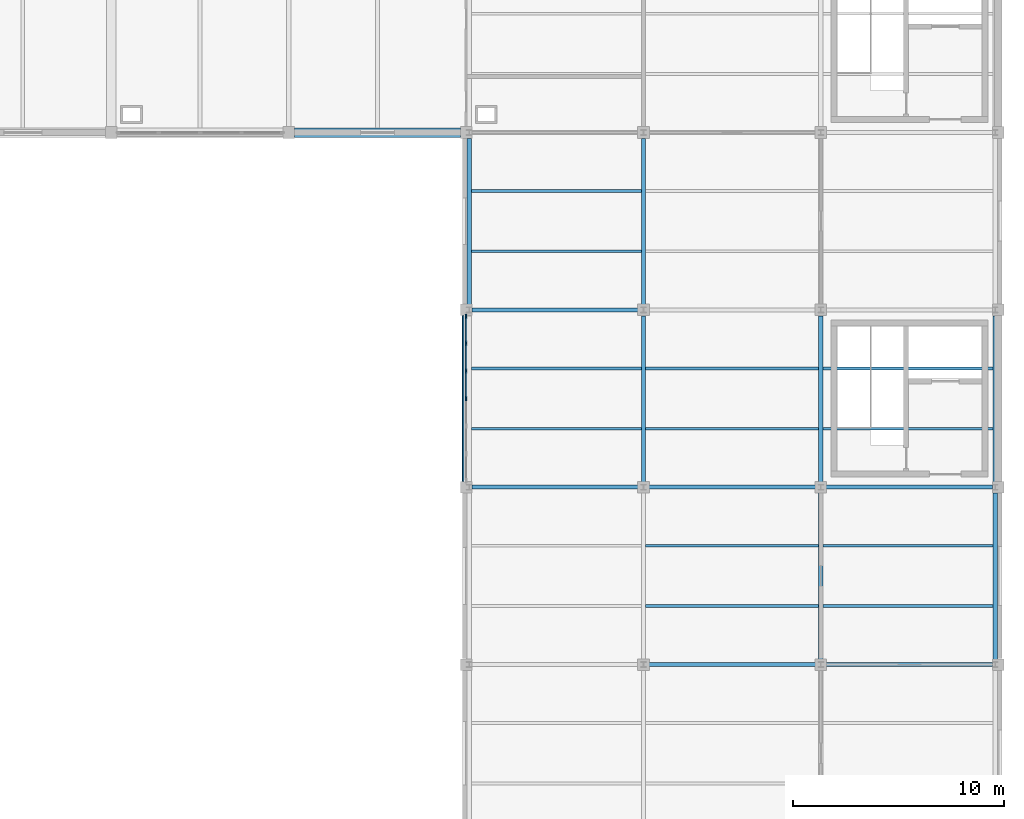
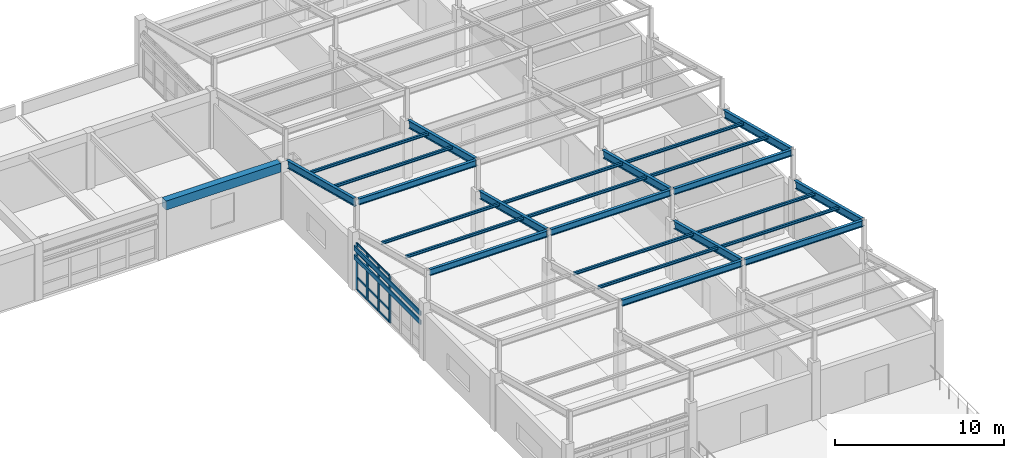
# One storey, part 41 of 74: 30 members, 14 beams, 1 element without a shape of its own.
"""IFC4 building model written with IfcOpenShell, lengths in metres."""

from ifc_helpers import new_model, si_unit, direction, frame, origin, origin_2d, place, context, subcontext, project, spatial, rectangle, i_section, extrude, material, layer, layer_set, material_profile, profile_set, type_object, element, aggregate, save


model = new_model("IFC4")

# Units and contexts
model_context = context("Model", 3, precision=1e-05, world=origin(), true_north=direction((0.0, 1.0)))
body_context = subcontext(model_context, "Body", "Model", "MODEL_VIEW")
ifc_project = project(units=[si_unit("LENGTHUNIT", "METRE"), si_unit("AREAUNIT", "SQUARE_METRE"), si_unit("VOLUMEUNIT", "CUBIC_METRE"), si_unit("PLANEANGLEUNIT", "RADIAN"), si_unit("MASSUNIT", "GRAM", prefix="KILO")], contexts=[model_context])

# Site, building, storey
site_placement = place(None, origin())
site = spatial("IfcSite", under=ifc_project, at=site_placement, CompositionType="ELEMENT")
building_placement = place(site_placement, origin())
building = spatial("IfcBuilding", under=site, at=building_placement, Name="Porcellanite Civic Hall", CompositionType="ELEMENT")
storey_placement = place(building_placement, frame((0.0, 0.0, 14.760009765625)))
storey = spatial("IfcBuildingStorey", under=building, at=storey_placement, Name="L03", CompositionType="ELEMENT", Elevation=14.760009765625)

# Beam
ifc_material_1 = material(Name="Concrete N50 (50 MPa)", Category="concrete")
ifc_material_profile_1 = material_profile(ifc_material_1, rectangle(XDim=0.449951171875, YDim=0.64990234375, at=origin_2d()), Name="RC-450x650")
ifc_profile_set_1 = profile_set([ifc_material_profile_1], Name="Concrete N50 (50 MPa)")
beam_type_1 = type_object("IfcBeamType", Name="BM-RC650", PredefinedType="SPANDREL", material=ifc_profile_set_1)
beam_1_placement = place(storey_placement, frame((134.674560546875, 50.39990234375, 3.744873046875), z_axis=(1.0, 0.0, 0.0), x_axis=(0.0, 1.0, 0.0)))
element("IfcBeam", 1, at=beam_1_placement, inside=storey, type_object=beam_type_1, Name="Beam X L03 17-7", PredefinedType="SPANDREL", context=body_context, shape_type="SweptSolid", body=[
    extrude(rectangle(XDim=0.449951171875, YDim=0.64990234375, at=origin_2d()), origin(), (0.0, 0.0, 1.0), 7.850830078125),
])

# Curtain wall, members
ifc_material_2 = material(Name="Anodised aluminium and solar laminated glass", Category="aluminium")
ifc_layer = layer(ifc_material_2, 0.179931640625)
ifc_layer_set = layer_set([ifc_layer], Name="Anodised aluminium and solar laminated glass")
curtain_wall_type = type_object("IfcCurtainWallType", Name="CW-SYS02", PredefinedType="NOTDEFINED", material=ifc_layer_set)
curtain_wall_placement = place(storey_placement, origin())
curtain_wall = element("IfcCurtainWall", 2, at=curtain_wall_placement, inside=storey, type_object=curtain_wall_type, Name="Curtain wall CW-222", PredefinedType="NOTDEFINED")
ifc_material_3 = material(Name="Anodised aluminium 6063-T6", Category="aluminium")
ifc_material_profile_2 = material_profile(ifc_material_3, rectangle(XDim=0.074951171875, YDim=0.219970703125, at=origin_2d()), Name="AL-75x220")
ifc_profile_set_2 = profile_set([ifc_material_profile_2], Name="Anodised aluminium 6063-T6")
member_type_1 = type_object("IfcMemberType", Name="CWM-03", PredefinedType="MULLION", material=ifc_profile_set_2)
member_1_placement = place(storey_placement, frame((142.800048828125, 37.800048828125, 0.0), z_axis=(0.0, 0.0, 1.0), x_axis=(-1.0, 0.0, 0.0)))
member_1 = element("IfcMember", 3, at=member_1_placement, type_object=member_type_1, Name="CW-222 mullion 4", PredefinedType="MULLION", context=body_context, shape_type="SweptSolid", body=[
    extrude(rectangle(XDim=0.074951171875, YDim=0.219970703125, at=origin_2d()), origin(), (0.0, 0.0, 1.0), 3.369873046875),
])
member_2_placement = place(storey_placement, frame((142.800048828125, 39.10791015625, 0.0), z_axis=(0.0, 0.0, 1.0), x_axis=(-1.0, 0.0, 0.0)))
member_2 = element("IfcMember", 4, at=member_2_placement, type_object=member_type_1, Name="CW-222 mullion 5", PredefinedType="MULLION", context=body_context, shape_type="SweptSolid", body=[
    extrude(rectangle(XDim=0.074951171875, YDim=0.219970703125, at=origin_2d()), origin(), (0.0, 0.0, 1.0), 3.369873046875),
])
member_3_placement = place(storey_placement, frame((142.800048828125, 40.416015625, 0.0), z_axis=(0.0, 0.0, 1.0), x_axis=(-1.0, 0.0, 0.0)))
member_3 = element("IfcMember", 5, at=member_3_placement, type_object=member_type_1, Name="CW-222 mullion 6", PredefinedType="MULLION", context=body_context, shape_type="SweptSolid", body=[
    extrude(rectangle(XDim=0.074951171875, YDim=0.219970703125, at=origin_2d()), origin(), (0.0, 0.0, 1.0), 3.369873046875),
])
member_4_placement = place(storey_placement, frame((142.800048828125, 41.6865234375, 0.0), z_axis=(0.0, 0.0, 1.0), x_axis=(-1.0, 0.0, 0.0)))
member_4 = element("IfcMember", 6, at=member_4_placement, type_object=member_type_1, Name="CW-222 mullion 7", PredefinedType="MULLION", context=body_context, shape_type="SweptSolid", body=[
    extrude(rectangle(XDim=0.074951171875, YDim=0.219970703125, at=origin_2d()), origin(), (0.0, 0.0, 1.0), 3.369873046875),
])
ifc_material_4 = material(Name="Anodised aluminium 6063-T6", Category="aluminium")
ifc_material_profile_3 = material_profile(ifc_material_4, rectangle(XDim=0.06494140625, YDim=0.14990234375, at=origin_2d()), Name="AL-65x150")
ifc_profile_set_3 = profile_set([ifc_material_profile_3], Name="Anodised aluminium 6063-T6")
member_type_2 = type_object("IfcMemberType", Name="CWT-02", PredefinedType="USERDEFINED", material=ifc_profile_set_3)
member_5_placement = place(storey_placement, frame((142.800048828125, 37.83740234375, 0.032470703125), z_axis=(0.0, 1.0, 0.0), x_axis=(-1.0, 0.0, 0.0)))
member_5 = element("IfcMember", 7, at=member_5_placement, type_object=member_type_2, Name="CW-222 transom 4.1", ObjectType="TRANSOM", PredefinedType="USERDEFINED", context=body_context, shape_type="SweptSolid", body=[
    extrude(rectangle(XDim=0.06494140625, YDim=0.14990234375, at=origin_2d()), origin(), (0.0, 0.0, 1.0), 1.233154296875),
])
member_6_placement = place(storey_placement, frame((142.800048828125, 37.83740234375, 0.89990234375), z_axis=(0.0, 1.0, 0.0), x_axis=(-1.0, 0.0, 0.0)))
member_6 = element("IfcMember", 8, at=member_6_placement, type_object=member_type_2, Name="CW-222 transom 4.2", ObjectType="TRANSOM", PredefinedType="USERDEFINED", context=body_context, shape_type="SweptSolid", body=[
    extrude(rectangle(XDim=0.06494140625, YDim=0.14990234375, at=origin_2d()), origin(), (0.0, 0.0, 1.0), 1.233154296875),
])
member_7_placement = place(storey_placement, frame((142.800048828125, 37.83740234375, 2.719970703125), z_axis=(0.0, 1.0, 0.0), x_axis=(-1.0, 0.0, 0.0)))
member_7 = element("IfcMember", 9, at=member_7_placement, type_object=member_type_2, Name="CW-222 transom 4.3", ObjectType="TRANSOM", PredefinedType="USERDEFINED", context=body_context, shape_type="SweptSolid", body=[
    extrude(rectangle(XDim=0.06494140625, YDim=0.14990234375, at=origin_2d()), origin(), (0.0, 0.0, 1.0), 1.233154296875),
])
member_8_placement = place(storey_placement, frame((142.800048828125, 37.83740234375, 3.33740234375), z_axis=(0.0, 1.0, 0.0), x_axis=(-1.0, 0.0, 0.0)))
member_8 = element("IfcMember", 10, at=member_8_placement, type_object=member_type_2, Name="CW-222 transom 4.4", ObjectType="TRANSOM", PredefinedType="USERDEFINED", context=body_context, shape_type="SweptSolid", body=[
    extrude(rectangle(XDim=0.06494140625, YDim=0.14990234375, at=origin_2d()), origin(), (0.0, 0.0, 1.0), 1.233154296875),
])
member_9_placement = place(storey_placement, frame((142.800048828125, 39.1455078125, 0.032470703125), z_axis=(0.0, 1.0, 0.0), x_axis=(-1.0, 0.0, 0.0)))
member_9 = element("IfcMember", 11, at=member_9_placement, type_object=member_type_2, Name="CW-222 transom 5.1", ObjectType="TRANSOM", PredefinedType="USERDEFINED", context=body_context, shape_type="SweptSolid", body=[
    extrude(rectangle(XDim=0.06494140625, YDim=0.14990234375, at=origin_2d()), origin(), (0.0, 0.0, 1.0), 1.23291015625),
])
member_10_placement = place(storey_placement, frame((142.800048828125, 39.1455078125, 0.89990234375), z_axis=(0.0, 1.0, 0.0), x_axis=(-1.0, 0.0, 0.0)))
member_10 = element("IfcMember", 12, at=member_10_placement, type_object=member_type_2, Name="CW-222 transom 5.2", ObjectType="TRANSOM", PredefinedType="USERDEFINED", context=body_context, shape_type="SweptSolid", body=[
    extrude(rectangle(XDim=0.06494140625, YDim=0.14990234375, at=origin_2d()), origin(), (0.0, 0.0, 1.0), 1.23291015625),
])
member_11_placement = place(storey_placement, frame((142.800048828125, 39.1455078125, 2.719970703125), z_axis=(0.0, 1.0, 0.0), x_axis=(-1.0, 0.0, 0.0)))
member_11 = element("IfcMember", 13, at=member_11_placement, type_object=member_type_2, Name="CW-222 transom 5.3", ObjectType="TRANSOM", PredefinedType="USERDEFINED", context=body_context, shape_type="SweptSolid", body=[
    extrude(rectangle(XDim=0.06494140625, YDim=0.14990234375, at=origin_2d()), origin(), (0.0, 0.0, 1.0), 1.23291015625),
])
member_12_placement = place(storey_placement, frame((142.800048828125, 39.1455078125, 3.33740234375), z_axis=(0.0, 1.0, 0.0), x_axis=(-1.0, 0.0, 0.0)))
member_12 = element("IfcMember", 14, at=member_12_placement, type_object=member_type_2, Name="CW-222 transom 5.4", ObjectType="TRANSOM", PredefinedType="USERDEFINED", context=body_context, shape_type="SweptSolid", body=[
    extrude(rectangle(XDim=0.06494140625, YDim=0.14990234375, at=origin_2d()), origin(), (0.0, 0.0, 1.0), 1.23291015625),
])
member_13_placement = place(storey_placement, frame((142.800048828125, 40.45361328125, 0.032470703125), z_axis=(0.0, 1.0, 0.0), x_axis=(-1.0, 0.0, 0.0)))
member_13 = element("IfcMember", 15, at=member_13_placement, type_object=member_type_2, Name="CW-222 transom 6.1", ObjectType="TRANSOM", PredefinedType="USERDEFINED", context=body_context, shape_type="SweptSolid", body=[
    extrude(rectangle(XDim=0.06494140625, YDim=0.14990234375, at=origin_2d()), origin(), (0.0, 0.0, 1.0), 1.1953125),
])
member_14_placement = place(storey_placement, frame((142.800048828125, 40.45361328125, 0.89990234375), z_axis=(0.0, 1.0, 0.0), x_axis=(-1.0, 0.0, 0.0)))
member_14 = element("IfcMember", 16, at=member_14_placement, type_object=member_type_2, Name="CW-222 transom 6.2", ObjectType="TRANSOM", PredefinedType="USERDEFINED", context=body_context, shape_type="SweptSolid", body=[
    extrude(rectangle(XDim=0.06494140625, YDim=0.14990234375, at=origin_2d()), origin(), (0.0, 0.0, 1.0), 1.1953125),
])
member_15_placement = place(storey_placement, frame((142.800048828125, 40.45361328125, 2.719970703125), z_axis=(0.0, 1.0, 0.0), x_axis=(-1.0, 0.0, 0.0)))
member_15 = element("IfcMember", 17, at=member_15_placement, type_object=member_type_2, Name="CW-222 transom 6.3", ObjectType="TRANSOM", PredefinedType="USERDEFINED", context=body_context, shape_type="SweptSolid", body=[
    extrude(rectangle(XDim=0.06494140625, YDim=0.14990234375, at=origin_2d()), origin(), (0.0, 0.0, 1.0), 1.1953125),
])
member_16_placement = place(storey_placement, frame((142.800048828125, 40.45361328125, 3.33740234375), z_axis=(0.0, 1.0, 0.0), x_axis=(-1.0, 0.0, 0.0)))
member_16 = element("IfcMember", 18, at=member_16_placement, type_object=member_type_2, Name="CW-222 transom 6.4", ObjectType="TRANSOM", PredefinedType="USERDEFINED", context=body_context, shape_type="SweptSolid", body=[
    extrude(rectangle(XDim=0.06494140625, YDim=0.14990234375, at=origin_2d()), origin(), (0.0, 0.0, 1.0), 1.1953125),
])
aggregate(curtain_wall, [member_1, member_2, member_3, member_4, member_5, member_6, member_7, member_8, member_9, member_10, member_11, member_12, member_13, member_14, member_15, member_16])

# Members
ifc_material_5 = material(Name="Fluoropolymer bauxite-red aluminium 6063-T6", Category="aluminium")
ifc_material_profile_4 = material_profile(ifc_material_5, rectangle(XDim=0.080078125, YDim=0.320068359375, at=origin_2d()), Name="AL-80x320")
ifc_profile_set_4 = profile_set([ifc_material_profile_4], Name="Fluoropolymer bauxite-red aluminium 6063-T6")
member_type_3 = type_object("IfcMemberType", Name="LV-BLD03", PredefinedType="USERDEFINED", material=ifc_profile_set_4)
for number, where, z_axis, x_axis, name in (
    (19, (142.64794921875, 33.87451171875, 3.070068359375), (0.0, 1.0, 0.0), (-1.0, 0.0, 0.0), "Cyclone sunshade louvre L03 W 17-4 1"),
    (20, (142.64794921875, 33.87451171875, 2.419921875), (0.0, 1.0, 0.0), (-1.0, 0.0, 0.0), "Cyclone sunshade louvre L03 W 17-4 2"),
):
    element("IfcMember", number, at=place(storey_placement, frame(where, z_axis=z_axis, x_axis=x_axis)), inside=storey, type_object=member_type_3, Name=name, ObjectType="LOUVRE BLADE", PredefinedType="USERDEFINED", context=body_context, shape_type="SweptSolid", body=[
        extrude(rectangle(XDim=0.080078125, YDim=0.320068359375, at=origin_2d()), origin(), (0.0, 0.0, 1.0), 7.85107421875),
    ])
ifc_material_6 = material(Name="Steel Grade 350", Category="steel")
ifc_material_profile_5 = material_profile(ifc_material_6, i_section(OverallWidth=0.133056640625, OverallDepth=0.202880859375, WebThickness=0.005859375, FlangeThickness=0.0078125, FilletRadius=0.0087890625, at=origin_2d()), Name="200UB25.4")
ifc_profile_set_5 = profile_set([ifc_material_profile_5], Name="Steel Grade 350")
member_type_4 = type_object("IfcMemberType", Name="PUR-200UB25", PredefinedType="PURLIN", material=ifc_profile_set_5)
for number, where, z_axis, x_axis, name in (
    (21, (151.304931640625, 27.971923828125, 5.492919921875), (1.0, 0.0, 0.0), (0.0, 1.0, 0.0), "Library sawtooth purlin 18-3"),
    (22, (151.304931640625, 30.827880859375, 4.75439453125), (1.0, 0.0, 0.0), (0.0, 1.0, 0.0), "Library sawtooth purlin 18-3"),
):
    element("IfcMember", number, at=place(storey_placement, frame(where, z_axis=z_axis, x_axis=x_axis)), inside=storey, type_object=member_type_4, Name=name, PredefinedType="PURLIN", context=body_context, shape_type="SweptSolid", body=[
        extrude(i_section(OverallWidth=0.133056640625, OverallDepth=0.202880859375, WebThickness=0.005859375, FlangeThickness=0.0078125, FilletRadius=0.0087890625, at=origin_2d()), origin(), (0.0, 0.0, 1.0), 8.190185546875),
    ])
for number, where, z_axis, x_axis, name in (
    (23, (159.705078125, 27.971923828125, 5.492919921875), (1.0, 0.0, 0.0), (0.0, 1.0, 0.0), "Library sawtooth purlin 19-3"),
    (24, (159.705078125, 30.827880859375, 4.75439453125), (1.0, 0.0, 0.0), (0.0, 1.0, 0.0), "Library sawtooth purlin 19-3"),
):
    element("IfcMember", number, at=place(storey_placement, frame(where, z_axis=z_axis, x_axis=x_axis)), inside=storey, type_object=member_type_4, Name=name, PredefinedType="PURLIN", context=body_context, shape_type="SweptSolid", body=[
        extrude(i_section(OverallWidth=0.133056640625, OverallDepth=0.202880859375, WebThickness=0.005859375, FlangeThickness=0.0078125, FilletRadius=0.0087890625, at=origin_2d()), origin(), (0.0, 0.0, 1.0), 8.0498046875),
    ])
for number, where, z_axis, x_axis, name in (
    (25, (143.044921875, 36.3720703125, 5.492919921875), (1.0, 0.0, 0.0), (0.0, 1.0, 0.0), "Library sawtooth purlin 17-4"),
    (26, (143.044921875, 39.22802734375, 4.75439453125), (1.0, 0.0, 0.0), (0.0, 1.0, 0.0), "Library sawtooth purlin 17-4"),
):
    element("IfcMember", number, at=place(storey_placement, frame(where, z_axis=z_axis, x_axis=x_axis)), inside=storey, type_object=member_type_4, Name=name, PredefinedType="PURLIN", context=body_context, shape_type="SweptSolid", body=[
        extrude(i_section(OverallWidth=0.133056640625, OverallDepth=0.202880859375, WebThickness=0.005859375, FlangeThickness=0.0078125, FilletRadius=0.0087890625, at=origin_2d()), origin(), (0.0, 0.0, 1.0), 8.050048828125),
    ])
for number, where, z_axis, x_axis, name in (
    (27, (151.304931640625, 36.3720703125, 5.492919921875), (1.0, 0.0, 0.0), (0.0, 1.0, 0.0), "Library sawtooth purlin 18-4"),
    (28, (151.304931640625, 39.22802734375, 4.75439453125), (1.0, 0.0, 0.0), (0.0, 1.0, 0.0), "Library sawtooth purlin 18-4"),
):
    element("IfcMember", number, at=place(storey_placement, frame(where, z_axis=z_axis, x_axis=x_axis)), inside=storey, type_object=member_type_4, Name=name, PredefinedType="PURLIN", context=body_context, shape_type="SweptSolid", body=[
        extrude(i_section(OverallWidth=0.133056640625, OverallDepth=0.202880859375, WebThickness=0.005859375, FlangeThickness=0.0078125, FilletRadius=0.0087890625, at=origin_2d()), origin(), (0.0, 0.0, 1.0), 8.190185546875),
    ])
for number, where, z_axis, x_axis, name in (
    (29, (159.705078125, 36.3720703125, 5.492919921875), (1.0, 0.0, 0.0), (0.0, 1.0, 0.0), "Library sawtooth purlin 19-4"),
    (30, (159.705078125, 39.22802734375, 4.75439453125), (1.0, 0.0, 0.0), (0.0, 1.0, 0.0), "Library sawtooth purlin 19-4"),
):
    element("IfcMember", number, at=place(storey_placement, frame(where, z_axis=z_axis, x_axis=x_axis)), inside=storey, type_object=member_type_4, Name=name, PredefinedType="PURLIN", context=body_context, shape_type="SweptSolid", body=[
        extrude(i_section(OverallWidth=0.133056640625, OverallDepth=0.202880859375, WebThickness=0.005859375, FlangeThickness=0.0078125, FilletRadius=0.0087890625, at=origin_2d()), origin(), (0.0, 0.0, 1.0), 8.0498046875),
    ])
for number, where, z_axis, x_axis, name in (
    (31, (143.044921875, 44.77197265625, 5.492919921875), (1.0, 0.0, 0.0), (0.0, 1.0, 0.0), "Library sawtooth purlin 17-5"),
    (32, (143.044921875, 47.6279296875, 4.75439453125), (1.0, 0.0, 0.0), (0.0, 1.0, 0.0), "Library sawtooth purlin 17-5"),
):
    element("IfcMember", number, at=place(storey_placement, frame(where, z_axis=z_axis, x_axis=x_axis)), inside=storey, type_object=member_type_4, Name=name, PredefinedType="PURLIN", context=body_context, shape_type="SweptSolid", body=[
        extrude(i_section(OverallWidth=0.133056640625, OverallDepth=0.202880859375, WebThickness=0.005859375, FlangeThickness=0.0078125, FilletRadius=0.0087890625, at=origin_2d()), origin(), (0.0, 0.0, 1.0), 8.050048828125),
    ])

# Beams
ifc_material_7 = material(Name="Steel Grade 350", Category="steel")
ifc_material_profile_6 = material_profile(ifc_material_7, i_section(OverallWidth=0.18994140625, OverallDepth=0.4541015625, WebThickness=0.008544921875, FlangeThickness=0.0126953125, FilletRadius=0.011474609375, at=origin_2d()), Name="460UB67.1")
ifc_profile_set_6 = profile_set([ifc_material_profile_6], Name="Steel Grade 350")
beam_type_2 = type_object("IfcBeamType", Name="RAF-460UB67", PredefinedType="BEAM", material=ifc_profile_set_6)
beam_2_placement = place(storey_placement, frame((151.326416015625, 25.199951171875, 6.069580078125), z_axis=(1.0, 0.0, 0.0), x_axis=(0.0, 1.0, 0.0)))
element("IfcBeam", 33, at=beam_2_placement, inside=storey, type_object=beam_type_2, Name="Library sawtooth ridge beam 18-3", PredefinedType="BEAM", context=body_context, shape_type="SweptSolid", body=[
    extrude(i_section(OverallWidth=0.18994140625, OverallDepth=0.4541015625, WebThickness=0.008544921875, FlangeThickness=0.0126953125, FilletRadius=0.011474609375, at=origin_2d()), origin(), (0.0, 0.0, 1.0), 8.14697265625),
])
beam_3_placement = place(storey_placement, frame((159.7265625, 25.199951171875, 6.069580078125), z_axis=(1.0, 0.0, 0.0), x_axis=(0.0, 1.0, 0.0)))
element("IfcBeam", 34, at=beam_3_placement, inside=storey, type_object=beam_type_2, Name="Library sawtooth ridge beam 19-3", PredefinedType="BEAM", context=body_context, shape_type="SweptSolid", body=[
    extrude(i_section(OverallWidth=0.18994140625, OverallDepth=0.4541015625, WebThickness=0.008544921875, FlangeThickness=0.0126953125, FilletRadius=0.011474609375, at=origin_2d()), origin(), (0.0, 0.0, 1.0), 8.0068359375),
])
beam_4_placement = place(storey_placement, frame((143.06640625, 33.60009765625, 6.069580078125), z_axis=(1.0, 0.0, 0.0), x_axis=(0.0, 1.0, 0.0)))
element("IfcBeam", 35, at=beam_4_placement, inside=storey, type_object=beam_type_2, Name="Library sawtooth ridge beam 17-4", PredefinedType="BEAM", context=body_context, shape_type="SweptSolid", body=[
    extrude(i_section(OverallWidth=0.18994140625, OverallDepth=0.4541015625, WebThickness=0.008544921875, FlangeThickness=0.0126953125, FilletRadius=0.011474609375, at=origin_2d()), origin(), (0.0, 0.0, 1.0), 8.007080078125),
])
beam_5_placement = place(storey_placement, frame((151.326416015625, 33.60009765625, 6.069580078125), z_axis=(1.0, 0.0, 0.0), x_axis=(0.0, 1.0, 0.0)))
element("IfcBeam", 36, at=beam_5_placement, inside=storey, type_object=beam_type_2, Name="Library sawtooth ridge beam 18-4", PredefinedType="BEAM", context=body_context, shape_type="SweptSolid", body=[
    extrude(i_section(OverallWidth=0.18994140625, OverallDepth=0.4541015625, WebThickness=0.008544921875, FlangeThickness=0.0126953125, FilletRadius=0.011474609375, at=origin_2d()), origin(), (0.0, 0.0, 1.0), 8.14697265625),
])
beam_6_placement = place(storey_placement, frame((159.7265625, 33.60009765625, 6.069580078125), z_axis=(1.0, 0.0, 0.0), x_axis=(0.0, 1.0, 0.0)))
element("IfcBeam", 37, at=beam_6_placement, inside=storey, type_object=beam_type_2, Name="Library sawtooth ridge beam 19-4", PredefinedType="BEAM", context=body_context, shape_type="SweptSolid", body=[
    extrude(i_section(OverallWidth=0.18994140625, OverallDepth=0.4541015625, WebThickness=0.008544921875, FlangeThickness=0.0126953125, FilletRadius=0.011474609375, at=origin_2d()), origin(), (0.0, 0.0, 1.0), 8.0068359375),
])
beam_7_placement = place(storey_placement, frame((143.06640625, 42.0, 6.069580078125), z_axis=(1.0, 0.0, 0.0), x_axis=(0.0, 1.0, 0.0)))
element("IfcBeam", 38, at=beam_7_placement, inside=storey, type_object=beam_type_2, Name="Library sawtooth ridge beam 17-5", PredefinedType="BEAM", context=body_context, shape_type="SweptSolid", body=[
    extrude(i_section(OverallWidth=0.18994140625, OverallDepth=0.4541015625, WebThickness=0.008544921875, FlangeThickness=0.0126953125, FilletRadius=0.011474609375, at=origin_2d()), origin(), (0.0, 0.0, 1.0), 8.007080078125),
])
ifc_material_8 = material(Name="Steel Grade 350", Category="steel")
ifc_material_profile_7 = material_profile(ifc_material_8, i_section(OverallWidth=0.208984375, OverallDepth=0.532958984375, WebThickness=0.01025390625, FlangeThickness=0.015625, FilletRadius=0.013916015625, at=origin_2d()), Name="530UB92.4")
ifc_profile_set_7 = profile_set([ifc_material_profile_7], Name="Steel Grade 350")
beam_type_3 = type_object("IfcBeamType", Name="RAF-530UB92", PredefinedType="BEAM", material=ifc_profile_set_7)
for number, where, z_axis, x_axis, name in (
    (39, (159.60009765625, 25.326904296875, 6.003173828125), (0.0, 0.968147036294, -0.250382339864), (-1.0, 0.0, 0.0), "Library sawtooth rafter 19-3"),
    (40, (167.860107421875, 25.326904296875, 6.003173828125), (0.0, 0.968147036294, -0.250382339864), (-1.0, 0.0, 0.0), "Library sawtooth rafter 20-3"),
):
    element("IfcBeam", number, at=place(storey_placement, frame(where, z_axis=z_axis, x_axis=x_axis)), inside=storey, type_object=beam_type_3, Name=name, PredefinedType="BEAM", context=body_context, shape_type="SweptSolid", body=[
        extrude(i_section(OverallWidth=0.208984375, OverallDepth=0.532958984375, WebThickness=0.01025390625, FlangeThickness=0.015625, FilletRadius=0.013916015625, at=origin_2d()), origin(), (0.0, 0.0, 1.0), 8.183837890625),
    ])
for number, where, z_axis, x_axis, name in (
    (41, (151.199951171875, 33.72705078125, 6.003173828125), (0.0, 0.968145165988, -0.250389571618), (-1.0, 0.0, 0.0), "Library sawtooth rafter 18-4"),
    (42, (159.60009765625, 33.72705078125, 6.003173828125), (0.0, 0.968145165988, -0.250389571618), (-1.0, 0.0, 0.0), "Library sawtooth rafter 19-4"),
    (43, (167.860107421875, 33.72705078125, 6.003173828125), (0.0, 0.968145165988, -0.250389571618), (-1.0, 0.0, 0.0), "Library sawtooth rafter 20-4"),
):
    element("IfcBeam", number, at=place(storey_placement, frame(where, z_axis=z_axis, x_axis=x_axis)), inside=storey, type_object=beam_type_3, Name=name, PredefinedType="BEAM", context=body_context, shape_type="SweptSolid", body=[
        extrude(i_section(OverallWidth=0.208984375, OverallDepth=0.532958984375, WebThickness=0.01025390625, FlangeThickness=0.015625, FilletRadius=0.013916015625, at=origin_2d()), origin(), (0.0, 0.0, 1.0), 8.18359375),
    ])
for number, where, z_axis, x_axis, name in (
    (44, (142.93994140625, 42.126953125, 6.003173828125), (0.0, 0.968147036294, -0.250382339864), (-1.0, 0.0, 0.0), "Library sawtooth rafter 17-5"),
    (45, (151.199951171875, 42.126953125, 6.003173828125), (0.0, 0.968147036294, -0.250382339864), (-1.0, 0.0, 0.0), "Library sawtooth rafter 18-5"),
):
    element("IfcBeam", number, at=place(storey_placement, frame(where, z_axis=z_axis, x_axis=x_axis)), inside=storey, type_object=beam_type_3, Name=name, PredefinedType="BEAM", context=body_context, shape_type="SweptSolid", body=[
        extrude(i_section(OverallWidth=0.208984375, OverallDepth=0.532958984375, WebThickness=0.01025390625, FlangeThickness=0.015625, FilletRadius=0.013916015625, at=origin_2d()), origin(), (0.0, 0.0, 1.0), 8.183837890625),
    ])

save(model, "model.ifc")
